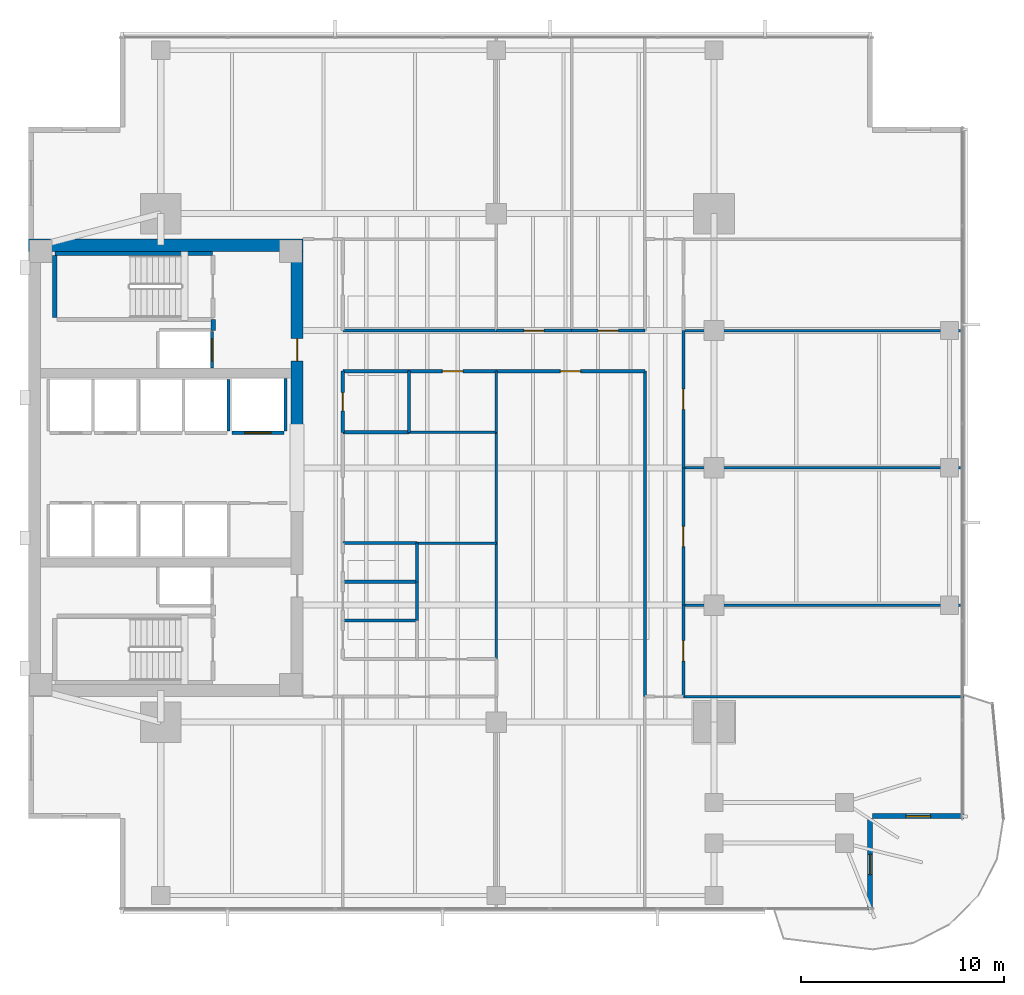
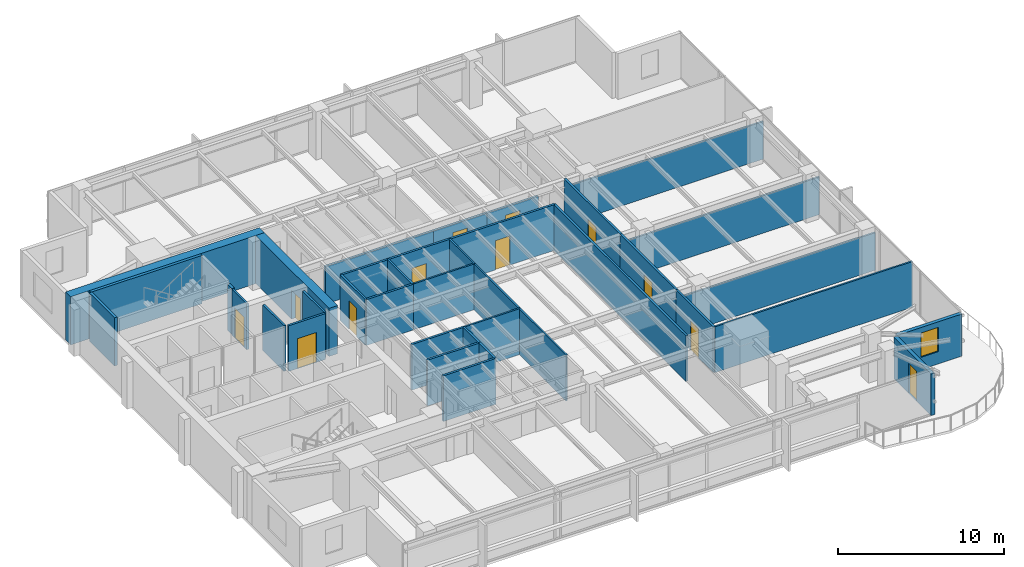
# One storey, part 9 of 14: 38 walls, 12 doors, 1 window, 13 openings.
"""IFC4 building model written with IfcOpenShell, lengths in metres."""

from ifc_helpers import new_model, si_unit, direction, frame, frame_2d, origin, place, context, subcontext, project, spatial, rectangle, extrude, material, layer, layer_set, type_object, element, fill, save


model = new_model("IFC4")

# Units and contexts
model_context = context("Model", 3, precision=1e-05, world=origin(), true_north=direction((0.0, 1.0)))
body_context = subcontext(model_context, "Body", "Model", "MODEL_VIEW")
ifc_project = project(units=[si_unit("LENGTHUNIT", "METRE"), si_unit("AREAUNIT", "SQUARE_METRE"), si_unit("VOLUMEUNIT", "CUBIC_METRE"), si_unit("PLANEANGLEUNIT", "RADIAN"), si_unit("MASSUNIT", "GRAM", prefix="KILO")], contexts=[model_context])

# Site, building, storey
site_placement = place(None, origin())
site = spatial("IfcSite", under=ifc_project, at=site_placement, CompositionType="ELEMENT")
building_placement = place(site_placement, origin())
building = spatial("IfcBuilding", under=site, at=building_placement, Name="Kinhvarn Gate Tower", CompositionType="ELEMENT")
storey_placement = place(building_placement, frame((0.0, 0.0, 151.949951171875)))
storey = spatial("IfcBuildingStorey", under=building, at=storey_placement, Name="L40", CompositionType="ELEMENT", Elevation=151.949951171875)

# Wall
ifc_material_1 = material(Name="Concrete C60/75", Category="concrete")
ifc_layer_1 = layer(ifc_material_1, 0.60009765625)
ifc_layer_set_1 = layer_set([ifc_layer_1], Name="Concrete C60/75")
wall_type_1 = type_object("IfcWallType", Name="WL-CORE-600", PredefinedType="SHEAR", material=ifc_layer_set_1)
wall_1_placement = place(storey_placement, frame((4.5, 36.199951171875, 0.0), z_axis=(0.0, 0.0, 1.0), x_axis=(1.0, 0.0, 0.0)))
element("IfcWall", 1, at=wall_1_placement, inside=storey, type_object=wall_type_1, Name="Core North Shear Wall L40 600 mm", PredefinedType="SHEAR", context=body_context, shape_type="SweptSolid", body=[
    extrude(rectangle(XDim=13.5, YDim=0.60009765625, at=frame_2d((6.75, 0.0))), origin(), (0.0, 0.0, 1.0), 3.550048828125),
])

# Wall, opening, door
wall_2_placement = place(storey_placement, frame((17.699951171875, 27.050048828125, 0.0), z_axis=(0.0, 0.0, 1.0), x_axis=(0.0, 1.0, 0.0)))
wall_2 = element("IfcWall", 2, at=wall_2_placement, inside=storey, type_object=wall_type_1, Name="Core East-North Shear Pier L40 600 mm", PredefinedType="SHEAR", context=body_context, shape_type="SweptSolid", body=[
    extrude(rectangle(XDim=8.849853515625, YDim=0.60009765625, at=frame_2d((4.4248046875, 0.0))), origin(), (0.0, 0.0, 1.0), 3.550048828125),
])
opening_1_placement = place(wall_2_placement, frame((3.449951171875, 0.0, 0.0)))
opening_1 = element("IfcOpeningElement", 3, at=opening_1_placement, cuts=wall_2, Name="Opening FD-02", PredefinedType="OPENING", context=body_context, shape_type="SweptSolid", body=[
    extrude(rectangle(XDim=1.10009765625, YDim=2.14990234375, at=frame_2d((0.550048828125, 1.074951171875))), frame((0.0, 0.31005859375, 0.0), z_axis=(0.0, -1.0, 0.0), x_axis=(1.0, 0.0, 0.0)), (0.0, 0.0, 1.0), 0.6201171875),
])
ifc_material_2 = material(Name="Anodised aluminium AW-6063", Category="aluminium")
door_type_1 = type_object("IfcDoorType", Name="DR-FD-1100", OperationType="NOTDEFINED", PredefinedType="DOOR", material=ifc_material_2)
door_1_placement = place(opening_1_placement, origin())
door_1 = element("IfcDoor", 4, at=door_1_placement, inside=storey, type_object=door_type_1, Name="Firefighting Lobby Core Door (L40)", OperationType="SINGLE_SWING_LEFT", OverallHeight=2.14990234375, OverallWidth=1.10009765625, PredefinedType="DOOR", context=body_context, shape_type="SweptSolid", body=[
    extrude(rectangle(XDim=1.10009765625, YDim=2.14990234375, at=frame_2d((0.550048828125, 1.074951171875))), frame((0.0, 0.02490234375, 0.0), z_axis=(0.0, -1.0, 0.0), x_axis=(1.0, 0.0, 0.0)), (0.0, 0.0, 1.0), 0.050048828125),
])
fill(opening_1, door_1)

ifc_material_3 = material(Name="Fired architectural terracotta", Category="masonry")
ifc_layer_2 = layer(ifc_material_3, 0.25)
ifc_layer_set_2 = layer_set([ifc_layer_2], Name="Fired architectural terracotta")
wall_type_2 = type_object("IfcWallType", Name="WL-EXT-250", PredefinedType="SOLIDWALL", material=ifc_layer_set_2)
wall_3_placement = place(storey_placement, frame((45.875, 3.5, 0.0), z_axis=(0.0, 0.0, 1.0), x_axis=(0.0, 1.0, 0.0)))
wall_3 = element("IfcWall", 5, at=wall_3_placement, inside=storey, type_object=wall_type_2, Name="Exterior Solidwall Wall EW-250 (L40 SE-Notch-Door)", PredefinedType="SOLIDWALL", context=body_context, shape_type="SweptSolid", body=[
    extrude(rectangle(XDim=4.5, YDim=0.25, at=frame_2d((2.25, 0.0))), origin(), (0.0, 0.0, 1.0), 3.070068359375),
])
opening_2_placement = place(wall_3_placement, frame((1.75, 0.0, 0.0)))
opening_2 = element("IfcOpeningElement", 6, at=opening_2_placement, cuts=wall_3, Name="Opening BD-01", PredefinedType="OPENING", context=body_context, shape_type="SweptSolid", body=[
    extrude(rectangle(XDim=1.0, YDim=2.199951171875, at=frame_2d((0.5, 1.10009765625))), frame((0.0, 0.135009765625, 0.0), z_axis=(0.0, -1.0, 0.0), x_axis=(1.0, 0.0, 0.0)), (0.0, 0.0, 1.0), 0.27001953125),
])
ifc_material_4 = material(Name="Clear low-e double glazing", Category="glass")
door_type_2 = type_object("IfcDoorType", Name="DR-BAL-1000", OperationType="NOTDEFINED", PredefinedType="DOOR", material=ifc_material_4)
door_2_placement = place(opening_2_placement, frame((1.0, 0.0, 0.0), z_axis=(0.0, 0.0, 1.0), x_axis=(-1.0, 0.0, 0.0)))
door_2 = element("IfcDoor", 7, at=door_2_placement, inside=storey, type_object=door_type_2, Name="S-Carve Balcony Door BD-01 (L40)", OperationType="SINGLE_SWING_LEFT", OverallHeight=2.199951171875, OverallWidth=1.0, PredefinedType="DOOR", context=body_context, shape_type="SweptSolid", body=[
    extrude(rectangle(XDim=1.0, YDim=2.199951171875, at=frame_2d((0.5, 1.10009765625))), frame((0.0, 0.02490234375, 0.0), z_axis=(0.0, -1.0, 0.0), x_axis=(1.0, 0.0, 0.0)), (0.0, 0.0, 1.0), 0.050048828125),
])
fill(opening_2, door_2)

# Wall, opening, window
wall_4_placement = place(storey_placement, frame((46.0, 8.125, 0.0), z_axis=(0.0, 0.0, 1.0), x_axis=(1.0, 0.0, 0.0)))
wall_4 = element("IfcWall", 8, at=wall_4_placement, inside=storey, type_object=wall_type_2, Name="Exterior Solidwall Wall EW-250 (L40 SE-Notch-Win)", PredefinedType="SOLIDWALL", context=body_context, shape_type="SweptSolid", body=[
    extrude(rectangle(XDim=4.5, YDim=0.25, at=frame_2d((2.25, 0.0))), origin(), (0.0, 0.0, 1.0), 3.10009765625),
])
opening_3_placement = place(wall_4_placement, frame((1.64990234375, 0.0, 0.89990234375)))
opening_3 = element("IfcOpeningElement", 9, at=opening_3_placement, cuts=wall_4, Name="Opening WN-02", PredefinedType="OPENING", context=body_context, shape_type="SweptSolid", body=[
    extrude(rectangle(XDim=1.199951171875, YDim=1.800048828125, at=frame_2d((0.60009765625, 0.89990234375))), frame((0.0, 0.135009765625, 0.0), z_axis=(0.0, -1.0, 0.0), x_axis=(1.0, 0.0, 0.0)), (0.0, 0.0, 1.0), 0.27001953125),
])
window_type = type_object("IfcWindowType", Name="WIN-NTC-1200", PartitioningType="SINGLE_PANEL", PredefinedType="WINDOW", material=ifc_material_4)
window_placement = place(opening_3_placement, origin())
window = element("IfcWindow", 10, at=window_placement, inside=storey, type_object=window_type, Name="Recessed Corner Notch Punched Window 1200x1800 mm (L40)", OverallHeight=1.800048828125, OverallWidth=1.199951171875, PartitioningType="SINGLE_PANEL", PredefinedType="WINDOW", context=body_context, shape_type="SweptSolid", body=[
    extrude(rectangle(XDim=1.199951171875, YDim=1.800048828125, at=frame_2d((0.60009765625, 0.89990234375))), frame((0.0, 0.030029296875, 0.0), z_axis=(0.0, -1.0, 0.0), x_axis=(1.0, 0.0, 0.0)), (0.0, 0.0, 1.0), 0.06005859375),
])
fill(opening_3, window)

# Walls
ifc_material_5 = material(Name="Gypsum acoustic partition board")
ifc_layer_3 = layer(ifc_material_5, 0.14990234375)
ifc_layer_set_3 = layer_set([ifc_layer_3], Name="Gypsum acoustic partition board")
wall_type_3 = type_object("IfcWallType", Name="WL-PLM-150", PredefinedType="PLUMBINGWALL", material=ifc_layer_set_3)
for number, where, z_axis, x_axis, name in (
    (11, (19.949951171875, 17.75, 0.0), (0.0, 0.0, 1.0), (1.0, 0.0, 0.0), "Interior Partition PLW-150 (L40)"),
    (12, (19.949951171875, 19.64990234375, 0.0), (0.0, 0.0, 1.0), (1.0, 0.0, 0.0), "Interior Partition PLW-150 (L40)"),
):
    element("IfcWall", number, at=place(storey_placement, frame(where, z_axis=z_axis, x_axis=x_axis)), inside=storey, type_object=wall_type_3, Name=name, PredefinedType="PLUMBINGWALL", context=body_context, shape_type="SweptSolid", body=[
        extrude(rectangle(XDim=3.650146484375, YDim=0.14990234375, at=frame_2d((1.8251953125, 0.0))), origin(), (0.0, 0.0, 1.0), 3.3701171875),
    ])
wall_5_placement = place(storey_placement, frame((23.60009765625, 17.75, 0.0), z_axis=(0.0, 0.0, 1.0), x_axis=(0.0, 1.0, 0.0)))
element("IfcWall", 13, at=wall_5_placement, inside=storey, type_object=wall_type_3, Name="Interior Partition PLW-150 (L40)", PredefinedType="PLUMBINGWALL", context=body_context, shape_type="SweptSolid", body=[
    extrude(rectangle(XDim=1.89990234375, YDim=0.14990234375, at=frame_2d((0.949951171875, 0.0))), origin(), (0.0, 0.0, 1.0), 3.3701171875),
])
wall_6_placement = place(storey_placement, frame((23.60009765625, 19.64990234375, 0.0), z_axis=(0.0, 0.0, 1.0), x_axis=(0.0, 1.0, 0.0)))
element("IfcWall", 14, at=wall_6_placement, inside=storey, type_object=wall_type_3, Name="Interior Partition PLW-150 (L40)", PredefinedType="PLUMBINGWALL", context=body_context, shape_type="SweptSolid", body=[
    extrude(rectangle(XDim=1.900146484375, YDim=0.14990234375, at=frame_2d((0.9501953125, 0.0))), origin(), (0.0, 0.0, 1.0), 3.3701171875),
])
wall_7_placement = place(storey_placement, frame((19.949951171875, 21.550048828125, 0.0), z_axis=(0.0, 0.0, 1.0), x_axis=(1.0, 0.0, 0.0)))
element("IfcWall", 15, at=wall_7_placement, inside=storey, type_object=wall_type_3, Name="Interior Partition PLW-150 (L40)", PredefinedType="PLUMBINGWALL", context=body_context, shape_type="SweptSolid", body=[
    extrude(rectangle(XDim=3.650146484375, YDim=0.14990234375, at=frame_2d((1.8251953125, 0.0))), origin(), (0.0, 0.0, 1.0), 3.3701171875),
])
wall_8_placement = place(storey_placement, frame((19.949951171875, 27.0, 0.0), z_axis=(0.0, 0.0, 1.0), x_axis=(1.0, 0.0, 0.0)))
element("IfcWall", 16, at=wall_8_placement, inside=storey, type_object=wall_type_3, Name="Interior Partition PLW-150 (L40)", PredefinedType="PLUMBINGWALL", context=body_context, shape_type="SweptSolid", body=[
    extrude(rectangle(XDim=3.25, YDim=0.14990234375, at=frame_2d((1.625, 0.0))), origin(), (0.0, 0.0, 1.0), 3.3701171875),
])
wall_9_placement = place(storey_placement, frame((23.199951171875, 27.0, 0.0), z_axis=(0.0, 0.0, 1.0), x_axis=(0.0, 1.0, 0.0)))
element("IfcWall", 17, at=wall_9_placement, inside=storey, type_object=wall_type_3, Name="Interior Partition PLW-150 (L40)", PredefinedType="PLUMBINGWALL", context=body_context, shape_type="SweptSolid", body=[
    extrude(rectangle(XDim=3.0, YDim=0.14990234375, at=frame_2d((1.5, 0.0))), origin(), (0.0, 0.0, 1.0), 3.3701171875),
])

# Wall, opening, door
ifc_layer_4 = layer(ifc_material_5, 0.14990234375)
ifc_layer_set_4 = layer_set([ifc_layer_4], Name="Gypsum acoustic partition board")
wall_type_4 = type_object("IfcWallType", Name="WL-PLM-150F", PredefinedType="PLUMBINGWALL", material=ifc_layer_set_4)
wall_10_placement = place(storey_placement, frame((19.949951171875, 27.0, 0.0), z_axis=(0.0, 0.0, 1.0), x_axis=(0.0, 1.0, 0.0)))
wall_10 = element("IfcWall", 18, at=wall_10_placement, inside=storey, type_object=wall_type_4, Name="Interior Partition PLW-150F (L40)", PredefinedType="PLUMBINGWALL", context=body_context, shape_type="SweptSolid", body=[
    extrude(rectangle(XDim=3.0, YDim=0.14990234375, at=frame_2d((1.5, 0.0))), origin(), (0.0, 0.0, 1.0), 3.3701171875),
])
opening_4_placement = place(wall_10_placement, frame((1.050048828125, 0.0, 0.0)))
opening_4 = element("IfcOpeningElement", 19, at=opening_4_placement, cuts=wall_10, Name="Opening FD-04", PredefinedType="OPENING", context=body_context, shape_type="SweptSolid", body=[
    extrude(rectangle(XDim=0.89990234375, YDim=2.10009765625, at=frame_2d((0.449951171875, 1.050048828125))), frame((0.0, 0.0849609375, 0.0), z_axis=(0.0, -1.0, 0.0), x_axis=(1.0, 0.0, 0.0)), (0.0, 0.0, 1.0), 0.169921875),
])
door_type_3 = type_object("IfcDoorType", Name="DR-FD-900", OperationType="NOTDEFINED", PredefinedType="DOOR", material=ifc_material_2)
door_3_placement = place(opening_4_placement, origin())
door_3 = element("IfcDoor", 20, at=door_3_placement, inside=storey, type_object=door_type_3, Name="Rated Riser & Service Closet Fire Door 900x2100 mm (L40)", OperationType="SINGLE_SWING_LEFT", OverallHeight=2.10009765625, OverallWidth=0.89990234375, PredefinedType="DOOR", context=body_context, shape_type="SweptSolid", body=[
    extrude(rectangle(XDim=0.89990234375, YDim=2.10009765625, at=frame_2d((0.449951171875, 1.050048828125))), frame((0.0, 0.02490234375, 0.0), z_axis=(0.0, -1.0, 0.0), x_axis=(1.0, 0.0, 0.0)), (0.0, 0.0, 1.0), 0.050048828125),
])
fill(opening_4, door_3)

# Walls
wall_11_placement = place(storey_placement, frame((19.949951171875, 30.0, 0.0), z_axis=(0.0, 0.0, 1.0), x_axis=(1.0, 0.0, 0.0)))
element("IfcWall", 21, at=wall_11_placement, inside=storey, type_object=wall_type_4, Name="Interior Partition PLW-150F (L40)", PredefinedType="PLUMBINGWALL", context=body_context, shape_type="SweptSolid", body=[
    extrude(rectangle(XDim=3.25, YDim=0.14990234375, at=frame_2d((1.625, 0.0))), origin(), (0.0, 0.0, 1.0), 3.3701171875),
])
ifc_layer_5 = layer(ifc_material_5, 0.1201171875)
ifc_layer_set_5 = layer_set([ifc_layer_5], Name="Gypsum acoustic partition board")
wall_type_5 = type_object("IfcWallType", Name="WL-PRT-120", PredefinedType="PARTITIONING", material=ifc_layer_set_5)
wall_12_placement = place(storey_placement, frame((23.60009765625, 21.550048828125, 0.0), z_axis=(0.0, 0.0, 1.0), x_axis=(1.0, 0.0, 0.0)))
element("IfcWall", 22, at=wall_12_placement, inside=storey, type_object=wall_type_5, Name="Interior Partition PW-120 (L40)", PredefinedType="PARTITIONING", context=body_context, shape_type="SweptSolid", body=[
    extrude(rectangle(XDim=3.89990234375, YDim=0.1201171875, at=frame_2d((1.949951171875, 0.0))), origin(), (0.0, 0.0, 1.0), 3.3701171875),
])
wall_13_placement = place(storey_placement, frame((27.5, 15.85009765625, 0.0), z_axis=(0.0, 0.0, 1.0), x_axis=(0.0, 1.0, 0.0)))
element("IfcWall", 23, at=wall_13_placement, inside=storey, type_object=wall_type_5, Name="Interior Partition PW-120 (L40)", PredefinedType="PARTITIONING", context=body_context, shape_type="SweptSolid", body=[
    extrude(rectangle(XDim=5.699951171875, YDim=0.1201171875, at=frame_2d((2.85009765625, 0.0))), origin(), (0.0, 0.0, 1.0), 3.3701171875),
])
wall_14_placement = place(storey_placement, frame((23.199951171875, 27.0, 0.0), z_axis=(0.0, 0.0, 1.0), x_axis=(1.0, 0.0, 0.0)))
element("IfcWall", 24, at=wall_14_placement, inside=storey, type_object=wall_type_5, Name="Interior Partition PW-120 (L40)", PredefinedType="PARTITIONING", context=body_context, shape_type="SweptSolid", body=[
    extrude(rectangle(XDim=4.300048828125, YDim=0.1201171875, at=frame_2d((2.14990234375, 0.0))), origin(), (0.0, 0.0, 1.0), 3.3701171875),
])
wall_15_placement = place(storey_placement, frame((27.5, 21.550048828125, 0.0), z_axis=(0.0, 0.0, 1.0), x_axis=(0.0, 1.0, 0.0)))
element("IfcWall", 25, at=wall_15_placement, inside=storey, type_object=wall_type_5, Name="Interior Partition PW-120 (L40)", PredefinedType="PARTITIONING", context=body_context, shape_type="SweptSolid", body=[
    extrude(rectangle(XDim=5.449951171875, YDim=0.1201171875, at=frame_2d((2.72509765625, 0.0))), origin(), (0.0, 0.0, 1.0), 3.3701171875),
])
wall_16_placement = place(storey_placement, frame((27.5, 27.0, 0.0), z_axis=(0.0, 0.0, 1.0), x_axis=(0.0, 1.0, 0.0)))
element("IfcWall", 26, at=wall_16_placement, inside=storey, type_object=wall_type_5, Name="Interior Partition PW-120 (L40)", PredefinedType="PARTITIONING", context=body_context, shape_type="SweptSolid", body=[
    extrude(rectangle(XDim=3.0, YDim=0.1201171875, at=frame_2d((1.5, 0.0))), origin(), (0.0, 0.0, 1.0), 3.3701171875),
])
wall_17_placement = place(storey_placement, frame((36.699951171875, 14.0, 0.0), z_axis=(0.0, 0.0, 1.0), x_axis=(1.0, 0.0, 0.0)))
element("IfcWall", 27, at=wall_17_placement, inside=storey, type_object=wall_type_5, Name="Interior Partition PW-120 (L40)", PredefinedType="PARTITIONING", context=body_context, shape_type="SweptSolid", body=[
    extrude(rectangle(XDim=13.7900390625, YDim=0.1201171875, at=frame_2d((6.89501953125, 0.0))), origin(), (0.0, 0.0, 1.0), 3.3701171875),
])
for number, where, z_axis, x_axis, name in (
    (28, (36.699951171875, 18.5, 0.0), (0.0, 0.0, 1.0), (1.0, 0.0, 0.0), "Interior Partition PW-120 (L40)"),
    (29, (36.699951171875, 25.25, 0.0), (0.0, 0.0, 1.0), (1.0, 0.0, 0.0), "Interior Partition PW-120 (L40)"),
    (30, (36.699951171875, 32.0, 0.0), (0.0, 0.0, 1.0), (1.0, 0.0, 0.0), "Interior Partition PW-120 (L40)"),
):
    element("IfcWall", number, at=place(storey_placement, frame(where, z_axis=z_axis, x_axis=x_axis)), inside=storey, type_object=wall_type_5, Name=name, PredefinedType="PARTITIONING", context=body_context, shape_type="SweptSolid", body=[
        extrude(rectangle(XDim=13.7900390625, YDim=0.1201171875, at=frame_2d((6.89501953125, 0.0))), origin(), (0.0, 0.0, 1.0), 2.77001953125),
    ])

# Wall, opening, door
ifc_layer_6 = layer(ifc_material_5, 0.14990234375)
ifc_layer_set_6 = layer_set([ifc_layer_6], Name="Gypsum acoustic partition board")
wall_type_6 = type_object("IfcWallType", Name="WL-PRT-150F", PredefinedType="PARTITIONING", material=ifc_layer_set_6)
wall_18_placement = place(storey_placement, frame((23.199951171875, 30.0, 0.0), z_axis=(0.0, 0.0, 1.0), x_axis=(1.0, 0.0, 0.0)))
wall_18 = element("IfcWall", 31, at=wall_18_placement, inside=storey, type_object=wall_type_6, Name="Interior Partition PW-150F (L40)", PredefinedType="PARTITIONING", context=body_context, shape_type="SweptSolid", body=[
    extrude(rectangle(XDim=4.300048828125, YDim=0.14990234375, at=frame_2d((2.14990234375, 0.0))), origin(), (0.0, 0.0, 1.0), 3.3701171875),
])
opening_5_placement = place(wall_18_placement, frame((1.64990234375, 0.0, 0.0)))
opening_5 = element("IfcOpeningElement", 32, at=opening_5_placement, cuts=wall_18, Name="Opening ID-02", PredefinedType="OPENING", context=body_context, shape_type="SweptSolid", body=[
    extrude(rectangle(XDim=1.0, YDim=2.14990234375, at=frame_2d((0.5, 1.074951171875))), frame((0.0, 0.0849609375, 0.0), z_axis=(0.0, -1.0, 0.0), x_axis=(1.0, 0.0, 0.0)), (0.0, 0.0, 1.0), 0.169921875),
])
door_type_4 = type_object("IfcDoorType", Name="DR-INT-1000", OperationType="NOTDEFINED", PredefinedType="DOOR", material=ifc_material_2)
door_4_placement = place(opening_5_placement, origin())
door_4 = element("IfcDoor", 33, at=door_4_placement, inside=storey, type_object=door_type_4, Name="Standard Office & Meeting Room Door 1000x2150 mm (L40)", OperationType="SINGLE_SWING_LEFT", OverallHeight=2.14990234375, OverallWidth=1.0, PredefinedType="DOOR", context=body_context, shape_type="SweptSolid", body=[
    extrude(rectangle(XDim=1.0, YDim=2.14990234375, at=frame_2d((0.5, 1.074951171875))), frame((0.0, 0.02490234375, 0.0), z_axis=(0.0, -1.0, 0.0), x_axis=(1.0, 0.0, 0.0)), (0.0, 0.0, 1.0), 0.050048828125),
])
fill(opening_5, door_4)

# Wall
wall_19_placement = place(storey_placement, frame((19.949951171875, 32.0, 0.0), z_axis=(0.0, 0.0, 1.0), x_axis=(1.0, 0.0, 0.0)))
element("IfcWall", 34, at=wall_19_placement, inside=storey, type_object=wall_type_6, Name="Interior Partition PW-150F (L40)", PredefinedType="PARTITIONING", context=body_context, shape_type="SweptSolid", body=[
    extrude(rectangle(XDim=7.550048828125, YDim=0.14990234375, at=frame_2d((3.77490234375, 0.0))), origin(), (0.0, 0.0, 1.0), 2.77001953125),
])

# Wall, opening, door
wall_20_placement = place(storey_placement, frame((27.5, 30.0, 0.0), z_axis=(0.0, 0.0, 1.0), x_axis=(1.0, 0.0, 0.0)))
wall_20 = element("IfcWall", 35, at=wall_20_placement, inside=storey, type_object=wall_type_6, Name="Interior Partition PW-150F (L40)", PredefinedType="PARTITIONING", context=body_context, shape_type="SweptSolid", body=[
    extrude(rectangle(XDim=7.300048828125, YDim=0.14990234375, at=frame_2d((3.64990234375, 0.0))), origin(), (0.0, 0.0, 1.0), 3.3701171875),
])
opening_6_placement = place(wall_20_placement, frame((3.14990234375, 0.0, 0.0)))
opening_6 = element("IfcOpeningElement", 36, at=opening_6_placement, cuts=wall_20, Name="Opening ID-02", PredefinedType="OPENING", context=body_context, shape_type="SweptSolid", body=[
    extrude(rectangle(XDim=1.0, YDim=2.14990234375, at=frame_2d((0.5, 1.074951171875))), frame((0.0, 0.0849609375, 0.0), z_axis=(0.0, -1.0, 0.0), x_axis=(1.0, 0.0, 0.0)), (0.0, 0.0, 1.0), 0.169921875),
])
door_5_placement = place(opening_6_placement, origin())
door_5 = element("IfcDoor", 37, at=door_5_placement, inside=storey, type_object=door_type_4, Name="Standard Office & Meeting Room Door 1000x2150 mm (L40)", OperationType="SINGLE_SWING_RIGHT", OverallHeight=2.14990234375, OverallWidth=1.0, PredefinedType="DOOR", context=body_context, shape_type="SweptSolid", body=[
    extrude(rectangle(XDim=1.0, YDim=2.14990234375, at=frame_2d((0.5, 1.074951171875))), frame((0.0, 0.02490234375, 0.0), z_axis=(0.0, -1.0, 0.0), x_axis=(1.0, 0.0, 0.0)), (0.0, 0.0, 1.0), 0.050048828125),
])
fill(opening_6, door_5)

wall_21_placement = place(storey_placement, frame((27.5, 32.0, 0.0), z_axis=(0.0, 0.0, 1.0), x_axis=(1.0, 0.0, 0.0)))
wall_21 = element("IfcWall", 38, at=wall_21_placement, inside=storey, type_object=wall_type_6, Name="Interior Partition PW-150F (L40)", PredefinedType="PARTITIONING", context=body_context, shape_type="SweptSolid", body=[
    extrude(rectangle(XDim=3.699951171875, YDim=0.14990234375, at=frame_2d((1.85009765625, 0.0))), origin(), (0.0, 0.0, 1.0), 2.77001953125),
])
opening_7_placement = place(wall_21_placement, frame((1.35009765625, 0.0, 0.0)))
opening_7 = element("IfcOpeningElement", 39, at=opening_7_placement, cuts=wall_21, Name="Opening ID-02", PredefinedType="OPENING", context=body_context, shape_type="SweptSolid", body=[
    extrude(rectangle(XDim=1.0, YDim=2.14990234375, at=frame_2d((0.5, 1.074951171875))), frame((0.0, 0.0849609375, 0.0), z_axis=(0.0, -1.0, 0.0), x_axis=(1.0, 0.0, 0.0)), (0.0, 0.0, 1.0), 0.169921875),
])
door_6_placement = place(opening_7_placement, origin())
door_6 = element("IfcDoor", 40, at=door_6_placement, inside=storey, type_object=door_type_4, Name="Standard Office & Meeting Room Door 1000x2150 mm (L40)", OperationType="SINGLE_SWING_LEFT", OverallHeight=2.14990234375, OverallWidth=1.0, PredefinedType="DOOR", context=body_context, shape_type="SweptSolid", body=[
    extrude(rectangle(XDim=1.0, YDim=2.14990234375, at=frame_2d((0.5, 1.074951171875))), frame((0.0, 0.02490234375, 0.0), z_axis=(0.0, -1.0, 0.0), x_axis=(1.0, 0.0, 0.0)), (0.0, 0.0, 1.0), 0.050048828125),
])
fill(opening_7, door_6)

wall_22_placement = place(storey_placement, frame((31.199951171875, 32.0, 0.0), z_axis=(0.0, 0.0, 1.0), x_axis=(1.0, 0.0, 0.0)))
wall_22 = element("IfcWall", 41, at=wall_22_placement, inside=storey, type_object=wall_type_6, Name="Interior Partition PW-150F (L40)", PredefinedType="PARTITIONING", context=body_context, shape_type="SweptSolid", body=[
    extrude(rectangle(XDim=3.60009765625, YDim=0.14990234375, at=frame_2d((1.800048828125, 0.0))), origin(), (0.0, 0.0, 1.0), 2.77001953125),
])
opening_8_placement = place(wall_22_placement, frame((1.300048828125, 0.0, 0.0)))
opening_8 = element("IfcOpeningElement", 42, at=opening_8_placement, cuts=wall_22, Name="Opening ID-02", PredefinedType="OPENING", context=body_context, shape_type="SweptSolid", body=[
    extrude(rectangle(XDim=1.0, YDim=2.14990234375, at=frame_2d((0.5, 1.074951171875))), frame((0.0, 0.0849609375, 0.0), z_axis=(0.0, -1.0, 0.0), x_axis=(1.0, 0.0, 0.0)), (0.0, 0.0, 1.0), 0.169921875),
])
door_7_placement = place(opening_8_placement, origin())
door_7 = element("IfcDoor", 43, at=door_7_placement, inside=storey, type_object=door_type_4, Name="Standard Office & Meeting Room Door 1000x2150 mm (L40)", OperationType="SINGLE_SWING_RIGHT", OverallHeight=2.14990234375, OverallWidth=1.0, PredefinedType="DOOR", context=body_context, shape_type="SweptSolid", body=[
    extrude(rectangle(XDim=1.0, YDim=2.14990234375, at=frame_2d((0.5, 1.074951171875))), frame((0.0, 0.02490234375, 0.0), z_axis=(0.0, -1.0, 0.0), x_axis=(1.0, 0.0, 0.0)), (0.0, 0.0, 1.0), 0.050048828125),
])
fill(opening_8, door_7)

# Wall
wall_23_placement = place(storey_placement, frame((34.800048828125, 14.0, 0.0), z_axis=(0.0, 0.0, 1.0), x_axis=(0.0, 1.0, 0.0)))
element("IfcWall", 44, at=wall_23_placement, inside=storey, type_object=wall_type_6, Name="Interior Partition PW-150F (L40)", PredefinedType="PARTITIONING", context=body_context, shape_type="SweptSolid", body=[
    extrude(rectangle(XDim=16.0, YDim=0.14990234375, at=frame_2d((8.0, 0.0))), origin(), (0.0, 0.0, 1.0), 3.3701171875),
])

# Wall, opening, door
wall_24_placement = place(storey_placement, frame((36.699951171875, 14.0, 0.0), z_axis=(0.0, 0.0, 1.0), x_axis=(0.0, 1.0, 0.0)))
wall_24 = element("IfcWall", 45, at=wall_24_placement, inside=storey, type_object=wall_type_6, Name="Interior Partition PW-150F (L40)", PredefinedType="PARTITIONING", context=body_context, shape_type="SweptSolid", body=[
    extrude(rectangle(XDim=4.5, YDim=0.14990234375, at=frame_2d((2.25, 0.0))), origin(), (0.0, 0.0, 1.0), 3.3701171875),
])
opening_9_placement = place(wall_24_placement, frame((1.75, 0.0, 0.0)))
opening_9 = element("IfcOpeningElement", 46, at=opening_9_placement, cuts=wall_24, Name="Opening ID-02", PredefinedType="OPENING", context=body_context, shape_type="SweptSolid", body=[
    extrude(rectangle(XDim=1.0, YDim=2.14990234375, at=frame_2d((0.5, 1.074951171875))), frame((0.0, 0.0849609375, 0.0), z_axis=(0.0, -1.0, 0.0), x_axis=(1.0, 0.0, 0.0)), (0.0, 0.0, 1.0), 0.169921875),
])
door_8_placement = place(opening_9_placement, origin())
door_8 = element("IfcDoor", 47, at=door_8_placement, inside=storey, type_object=door_type_4, Name="Standard Office & Meeting Room Door 1000x2150 mm (L40)", OperationType="SINGLE_SWING_RIGHT", OverallHeight=2.14990234375, OverallWidth=1.0, PredefinedType="DOOR", context=body_context, shape_type="SweptSolid", body=[
    extrude(rectangle(XDim=1.0, YDim=2.14990234375, at=frame_2d((0.5, 1.074951171875))), frame((0.0, 0.02490234375, 0.0), z_axis=(0.0, -1.0, 0.0), x_axis=(1.0, 0.0, 0.0)), (0.0, 0.0, 1.0), 0.050048828125),
])
fill(opening_9, door_8)

wall_25_placement = place(storey_placement, frame((36.699951171875, 18.5, 0.0), z_axis=(0.0, 0.0, 1.0), x_axis=(0.0, 1.0, 0.0)))
wall_25 = element("IfcWall", 48, at=wall_25_placement, inside=storey, type_object=wall_type_6, Name="Interior Partition PW-150F (L40)", PredefinedType="PARTITIONING", context=body_context, shape_type="SweptSolid", body=[
    extrude(rectangle(XDim=6.75, YDim=0.14990234375, at=frame_2d((3.375, 0.0))), origin(), (0.0, 0.0, 1.0), 3.3701171875),
])
opening_10_placement = place(wall_25_placement, frame((2.875, 0.0, 0.0)))
opening_10 = element("IfcOpeningElement", 49, at=opening_10_placement, cuts=wall_25, Name="Opening ID-02", PredefinedType="OPENING", context=body_context, shape_type="SweptSolid", body=[
    extrude(rectangle(XDim=1.0, YDim=2.14990234375, at=frame_2d((0.5, 1.074951171875))), frame((0.0, 0.0849609375, 0.0), z_axis=(0.0, -1.0, 0.0), x_axis=(1.0, 0.0, 0.0)), (0.0, 0.0, 1.0), 0.169921875),
])
door_9_placement = place(opening_10_placement, origin())
door_9 = element("IfcDoor", 50, at=door_9_placement, inside=storey, type_object=door_type_4, Name="Standard Office & Meeting Room Door 1000x2150 mm (L40)", OperationType="SINGLE_SWING_LEFT", OverallHeight=2.14990234375, OverallWidth=1.0, PredefinedType="DOOR", context=body_context, shape_type="SweptSolid", body=[
    extrude(rectangle(XDim=1.0, YDim=2.14990234375, at=frame_2d((0.5, 1.074951171875))), frame((0.0, 0.02490234375, 0.0), z_axis=(0.0, -1.0, 0.0), x_axis=(1.0, 0.0, 0.0)), (0.0, 0.0, 1.0), 0.050048828125),
])
fill(opening_10, door_9)

wall_26_placement = place(storey_placement, frame((36.699951171875, 25.25, 0.0), z_axis=(0.0, 0.0, 1.0), x_axis=(0.0, 1.0, 0.0)))
wall_26 = element("IfcWall", 51, at=wall_26_placement, inside=storey, type_object=wall_type_6, Name="Interior Partition PW-150F (L40)", PredefinedType="PARTITIONING", context=body_context, shape_type="SweptSolid", body=[
    extrude(rectangle(XDim=6.75, YDim=0.14990234375, at=frame_2d((3.375, 0.0))), origin(), (0.0, 0.0, 1.0), 3.3701171875),
])
opening_11_placement = place(wall_26_placement, frame((2.875, 0.0, 0.0)))
opening_11 = element("IfcOpeningElement", 52, at=opening_11_placement, cuts=wall_26, Name="Opening ID-02", PredefinedType="OPENING", context=body_context, shape_type="SweptSolid", body=[
    extrude(rectangle(XDim=1.0, YDim=2.14990234375, at=frame_2d((0.5, 1.074951171875))), frame((0.0, 0.0849609375, 0.0), z_axis=(0.0, -1.0, 0.0), x_axis=(1.0, 0.0, 0.0)), (0.0, 0.0, 1.0), 0.169921875),
])
door_10_placement = place(opening_11_placement, origin())
door_10 = element("IfcDoor", 53, at=door_10_placement, inside=storey, type_object=door_type_4, Name="Standard Office & Meeting Room Door 1000x2150 mm (L40)", OperationType="SINGLE_SWING_RIGHT", OverallHeight=2.14990234375, OverallWidth=1.0, PredefinedType="DOOR", context=body_context, shape_type="SweptSolid", body=[
    extrude(rectangle(XDim=1.0, YDim=2.14990234375, at=frame_2d((0.5, 1.074951171875))), frame((0.0, 0.02490234375, 0.0), z_axis=(0.0, -1.0, 0.0), x_axis=(1.0, 0.0, 0.0)), (0.0, 0.0, 1.0), 0.050048828125),
])
fill(opening_11, door_10)

# Walls
ifc_layer_7 = layer(ifc_material_5, 0.199951171875)
ifc_layer_set_7 = layer_set([ifc_layer_7], Name="Gypsum acoustic partition board")
wall_type_7 = type_object("IfcWallType", Name="WL-PRT-200", PredefinedType="PARTITIONING", material=ifc_layer_set_7)
wall_27_placement = place(storey_placement, frame((13.580078125, 32.0, 0.0), z_axis=(0.0, 0.0, 1.0), x_axis=(0.0, 1.0, 0.0)))
element("IfcWall", 54, at=wall_27_placement, inside=storey, type_object=wall_type_7, Name="Interior Partition PW-200 (L40)", PredefinedType="PARTITIONING", context=body_context, shape_type="SweptSolid", body=[
    extrude(rectangle(XDim=0.5400390625, YDim=0.199951171875, at=frame_2d((0.27001953125, 0.0))), origin(), (0.0, 0.0, 1.0), 3.3701171875),
])
ifc_layer_8 = layer(ifc_material_5, 0.14990234375)
ifc_layer_set_8 = layer_set([ifc_layer_8], Name="Gypsum acoustic partition board")
wall_type_8 = type_object("IfcWallType", Name="WL-SHF-150", PredefinedType="PARTITIONING", material=ifc_layer_set_8)
wall_28_placement = place(storey_placement, frame((14.324951171875, 27.050048828125, 0.0), z_axis=(0.0, 0.0, 1.0), x_axis=(0.0, 1.0, 0.0)))
element("IfcWall", 55, at=wall_28_placement, inside=storey, type_object=wall_type_8, Name="Elevator PH-12 Hoistway Wall E (L40)", PredefinedType="PARTITIONING", context=body_context, shape_type="SweptSolid", body=[
    extrude(rectangle(XDim=2.550048828125, YDim=0.14990234375, at=frame_2d((1.27490234375, 0.0))), origin(), (0.0, 0.0, 1.0), 3.3701171875),
])

# Wall, opening, door
wall_29_placement = place(storey_placement, frame((14.5, 26.97509765625, 0.0), z_axis=(0.0, 0.0, 1.0), x_axis=(1.0, 0.0, 0.0)))
wall_29 = element("IfcWall", 56, at=wall_29_placement, inside=storey, type_object=wall_type_8, Name="Elevator SV-01 Landing Wall (L40)", PredefinedType="PARTITIONING", context=body_context, shape_type="SweptSolid", body=[
    extrude(rectangle(XDim=2.550048828125, YDim=0.14990234375, at=frame_2d((1.27490234375, 0.0))), origin(), (0.0, 0.0, 1.0), 3.3701171875),
])
opening_12_placement = place(wall_29_placement, frame((0.625, 0.0, 0.0)))
opening_12 = element("IfcOpeningElement", 57, at=opening_12_placement, cuts=wall_29, Name="Opening LD-02", PredefinedType="OPENING", context=body_context, shape_type="SweptSolid", body=[
    extrude(rectangle(XDim=1.300048828125, YDim=2.199951171875, at=frame_2d((0.64990234375, 1.10009765625))), frame((0.0, 0.0849609375, 0.0), z_axis=(0.0, -1.0, 0.0), x_axis=(1.0, 0.0, 0.0)), (0.0, 0.0, 1.0), 0.169921875),
])
door_type_5 = type_object("IfcDoorType", Name="DR-LND-SRV", OperationType="NOTDEFINED", PredefinedType="DOOR", material=ifc_material_2)
door_11_placement = place(opening_12_placement, origin())
door_11 = element("IfcDoor", 58, at=door_11_placement, inside=storey, type_object=door_type_5, Name="Elevator SV-01 Sliding Landing Door (L40)", OperationType="DOUBLE_DOOR_SLIDING", OverallHeight=2.199951171875, OverallWidth=1.300048828125, PredefinedType="DOOR", context=body_context, shape_type="SweptSolid", body=[
    extrude(rectangle(XDim=1.300048828125, YDim=2.199951171875, at=frame_2d((0.64990234375, 1.10009765625))), frame((0.0, 0.02490234375, 0.0), z_axis=(0.0, -1.0, 0.0), x_axis=(1.0, 0.0, 0.0)), (0.0, 0.0, 1.0), 0.050048828125),
])
fill(opening_12, door_11)

# Wall
wall_30_placement = place(storey_placement, frame((17.125, 27.050048828125, 0.0), z_axis=(0.0, 0.0, 1.0), x_axis=(0.0, 1.0, 0.0)))
element("IfcWall", 59, at=wall_30_placement, inside=storey, type_object=wall_type_8, Name="Elevator SV-01 Hoistway Wall E (L40)", PredefinedType="PARTITIONING", context=body_context, shape_type="SweptSolid", body=[
    extrude(rectangle(XDim=2.599853515625, YDim=0.14990234375, at=frame_2d((1.2998046875, 0.0))), origin(), (0.0, 0.0, 1.0), 3.3701171875),
])

# Wall, opening, door
wall_31_placement = place(storey_placement, frame((13.52490234375, 30.14990234375, 0.0), z_axis=(0.0, 0.0, 1.0), x_axis=(0.0, 1.0, 0.0)))
wall_31 = element("IfcWall", 60, at=wall_31_placement, inside=storey, type_object=wall_type_8, Name="Elevator FF2 Landing Wall (L40)", PredefinedType="PARTITIONING", context=body_context, shape_type="SweptSolid", body=[
    extrude(rectangle(XDim=1.800048828125, YDim=0.14990234375, at=frame_2d((0.89990234375, 0.0))), origin(), (0.0, 0.0, 1.0), 3.3701171875),
])
opening_13_placement = place(wall_31_placement, frame((0.35009765625, 0.0, 0.0)))
opening_13 = element("IfcOpeningElement", 61, at=opening_13_placement, cuts=wall_31, Name="Opening LD-03", PredefinedType="OPENING", context=body_context, shape_type="SweptSolid", body=[
    extrude(rectangle(XDim=1.10009765625, YDim=2.199951171875, at=frame_2d((0.550048828125, 1.10009765625))), frame((0.0, 0.0849609375, 0.0), z_axis=(0.0, -1.0, 0.0), x_axis=(1.0, 0.0, 0.0)), (0.0, 0.0, 1.0), 0.169921875),
])
door_type_6 = type_object("IfcDoorType", Name="DR-LND-FF", OperationType="NOTDEFINED", PredefinedType="DOOR", material=ifc_material_2)
door_12_placement = place(opening_13_placement, origin())
door_12 = element("IfcDoor", 62, at=door_12_placement, inside=storey, type_object=door_type_6, Name="Elevator FF2 Sliding Landing Door (L40)", OperationType="DOUBLE_DOOR_SLIDING", OverallHeight=2.199951171875, OverallWidth=1.10009765625, PredefinedType="DOOR", context=body_context, shape_type="SweptSolid", body=[
    extrude(rectangle(XDim=1.10009765625, YDim=2.199951171875, at=frame_2d((0.550048828125, 1.10009765625))), frame((0.0, 0.02490234375, 0.0), z_axis=(0.0, -1.0, 0.0), x_axis=(1.0, 0.0, 0.0)), (0.0, 0.0, 1.0), 0.050048828125),
])
fill(opening_13, door_12)

# Walls
ifc_material_6 = material(Name="Concrete C40/50", Category="concrete")
ifc_layer_9 = layer(ifc_material_6, 0.199951171875)
ifc_layer_set_9 = layer_set([ifc_layer_9], Name="Concrete C40/50")
wall_type_9 = type_object("IfcWallType", Name="WL-SHF-200", PredefinedType="SOLIDWALL", material=ifc_layer_set_9)
wall_32_placement = place(storey_placement, frame((5.800048828125, 35.800048828125, 0.0), z_axis=(0.0, 0.0, 1.0), x_axis=(1.0, 0.0, 0.0)))
element("IfcWall", 63, at=wall_32_placement, inside=storey, type_object=wall_type_9, Name="Stair ST2 North Shaft Wall (L40)", PredefinedType="SOLIDWALL", context=body_context, shape_type="SweptSolid", body=[
    extrude(rectangle(XDim=7.75, YDim=0.199951171875, at=frame_2d((3.875, 0.0))), origin(), (0.0, 0.0, 1.0), 3.550048828125),
])
wall_33_placement = place(storey_placement, frame((5.7900390625, 32.64990234375, 0.0), z_axis=(0.0, 0.0, 1.0), x_axis=(0.0, 1.0, 0.0)))
element("IfcWall", 64, at=wall_33_placement, inside=storey, type_object=wall_type_9, Name="Stair ST2 West Shaft Wall (L40)", PredefinedType="SOLIDWALL", context=body_context, shape_type="SweptSolid", body=[
    extrude(rectangle(XDim=3.050048828125, YDim=0.199951171875, at=frame_2d((1.52490234375, 0.0))), origin(), (0.0, 0.0, 1.0), 3.550048828125),
])

save(model, "model.ifc")
